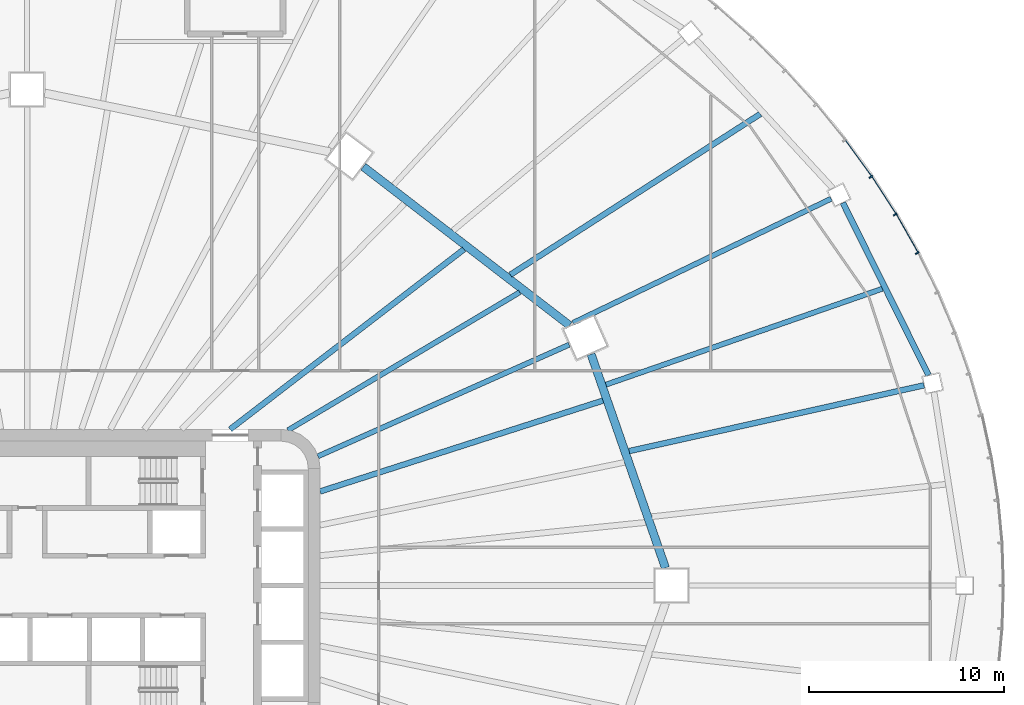
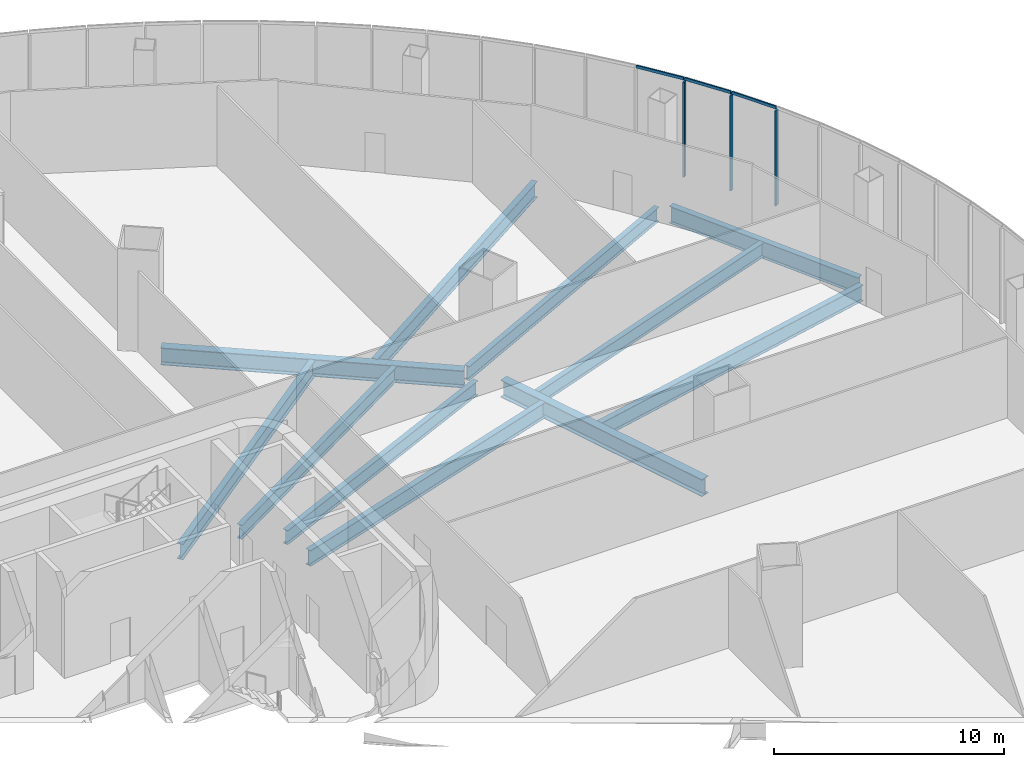
# One storey, part 11 of 42: 11 beams, 6 members, 2 elements without a shape of their own.
"""IFC4 building model written with IfcOpenShell, lengths in metres."""

import ifcopenshell
import ifcopenshell.guid

model = None  # the IFC model being written
_history = None  # IfcOwnerHistory: only IFC2X3 demands one
_inside = {}  # id of a spatial element -> (the spatial element, [elements in it])
_under = {}  # id of a project, library or spatial element -> (it, [spatial elements below it])
_declared = {}  # id of a project -> (the project, [libraries it declares])
_typed = {}  # id of a type object -> (the type object, [elements of that type])
_made_of = {}  # id of a material, layer set ... -> (it, [elements and type objects made of it])


def new_model(schema):
    """Start an empty IFC model of exactly this schema.

    Asked for "IFC4X3", IfcOpenShell would pick the latest addendum, in which some entities
    have other attributes; the version numbers below select the first issue.
    IFC2X3 requires an IfcOwnerHistory on every rooted entity: one is made here for all.
    """
    global model, _history
    if schema == "IFC4X3":
        model = ifcopenshell.file(schema_version=(4, 3, 0, 0))
    else:
        model = ifcopenshell.file(schema=schema)
    _inside.clear()
    _under.clear()
    _declared.clear()
    _typed.clear()
    _made_of.clear()
    _history = None
    if model.schema == "IFC2X3":
        org = make("IfcOrganization", Name="unknown")
        user = make(
            "IfcPersonAndOrganization",
            ThePerson=make("IfcPerson", FamilyName="unknown"),
            TheOrganization=org,
        )
        app = make(
            "IfcApplication",
            ApplicationDeveloper=org,
            Version="unknown",
            ApplicationFullName="unknown",
            ApplicationIdentifier="unknown",
        )
        _history = make(
            "IfcOwnerHistory",
            OwningUser=user,
            OwningApplication=app,
            ChangeAction="ADDED",
            CreationDate=0,
        )
    return model


def make(cls, **values):
    """One entity of the class cls with the attributes given. An attribute that is None is left unset."""
    return model.create_entity(
        cls, **{name: value for name, value in values.items() if value is not None}
    )


def rooted(cls, **values):
    """An entity with a GlobalId (a new one), such as an element, a storey or a relation."""
    return make(cls, GlobalId=ifcopenshell.guid.new(), OwnerHistory=_history, **values)


def si_unit(unit_type, name, prefix=None):
    """IfcSIUnit, for example si_unit("LENGTHUNIT", "METRE", prefix="MILLI")."""
    return make("IfcSIUnit", UnitType=unit_type, Prefix=prefix, Name=name)


def assignment(units):
    """IfcUnitAssignment: the units of a project."""
    return None if units is None else make("IfcUnitAssignment", Units=units)


def point(xyz):
    """IfcCartesianPoint."""
    return None if xyz is None else make("IfcCartesianPoint", Coordinates=xyz)


def direction(xyz):
    """IfcDirection."""
    return None if xyz is None else make("IfcDirection", DirectionRatios=xyz)


def frame(location, z_axis=None, x_axis=None):
    """IfcAxis2Placement3D, a coordinate frame: its origin and axes. An axis left out is left unset."""
    return make(
        "IfcAxis2Placement3D",
        Location=point(location),
        Axis=direction(z_axis),
        RefDirection=direction(x_axis),
    )


def frame_2d(location, x_axis=None):
    """IfcAxis2Placement2D, a coordinate frame in the plane: its origin and x axis."""
    return make(
        "IfcAxis2Placement2D", Location=point(location), RefDirection=direction(x_axis)
    )


def origin():
    """The frame at (0, 0, 0) with its axes left unset."""
    return frame((0.0, 0.0, 0.0))


def origin_2d():
    """The frame at (0, 0) in the plane with its x axis left unset."""
    return frame_2d((0.0, 0.0))


def place(relative_to, where):
    """IfcLocalPlacement: puts the frame where relative to a parent placement (None: the world)."""
    return make(
        "IfcLocalPlacement", PlacementRelTo=relative_to, RelativePlacement=where
    )


def context(
    kind, dimensions, precision=None, world=None, true_north=None, identifier=None
):
    """IfcGeometricRepresentationContext, for example the 3D "Model" context."""
    return make(
        "IfcGeometricRepresentationContext",
        ContextIdentifier=identifier,
        ContextType=kind,
        CoordinateSpaceDimension=dimensions,
        Precision=precision,
        WorldCoordinateSystem=world,
        TrueNorth=true_north,
    )


def subcontext(parent, identifier, kind, view, scale=None):
    """IfcGeometricRepresentationSubContext, for example "Body" below "Model"."""
    return make(
        "IfcGeometricRepresentationSubContext",
        ContextIdentifier=identifier,
        ContextType=kind,
        ParentContext=parent,
        TargetScale=scale,
        TargetView=view,
    )


def project(units=None, contexts=None):
    """IfcProject with its units and contexts."""
    return rooted(
        "IfcProject",
        Name="project",
        RepresentationContexts=contexts,
        UnitsInContext=assignment(units),
    )


def spatial(cls, under=None, at=None, **own):
    """A site, building, storey or space (cls), placed at a placement, below another one or the project."""
    s = rooted(cls, ObjectPlacement=at, **own)
    if under is not None:
        _under.setdefault(under.id(), (under, []))[1].append(s)
    return s


def profile(cls, at=None, kind="AREA", **sizes):
    """A parametric profile (cls). Its sizes go by their IFC names, for example OverallWidth=200.0."""
    return make(cls, ProfileType=kind, Position=at, **sizes)


def rectangle(**sizes):
    """IfcRectangleProfileDef."""
    return profile("IfcRectangleProfileDef", **sizes)


def i_section(**sizes):
    """IfcIShapeProfileDef."""
    return profile("IfcIShapeProfileDef", **sizes)


def extrude(swept, where, along, depth):
    """IfcExtrudedAreaSolid: the profile swept, set in the frame where, extruded along a direction by depth."""
    return make(
        "IfcExtrudedAreaSolid",
        SweptArea=swept,
        Position=where,
        ExtrudedDirection=direction(along),
        Depth=depth,
    )


def shape(context_of_items, identifier, shape_type, items):
    """IfcShapeRepresentation: the items that make up one representation, for example the "Body"."""
    return make(
        "IfcShapeRepresentation",
        ContextOfItems=context_of_items,
        RepresentationIdentifier=identifier,
        RepresentationType=shape_type,
        Items=items,
    )


def material(Name=None, Category=None):
    """IfcMaterial."""
    return make("IfcMaterial", Name=Name, Category=Category)


def layer(
    of_material, thickness, ventilated=None, Name=None, Category=None, Priority=None
):
    """IfcMaterialLayer: one layer of a wall or slab, of a material (None: an air gap)."""
    return make(
        "IfcMaterialLayer",
        Material=of_material,
        LayerThickness=thickness,
        IsVentilated=ventilated,
        Name=Name,
        Category=Category,
        Priority=Priority,
    )


def layer_set(layers, Name=None):
    """IfcMaterialLayerSet."""
    return make("IfcMaterialLayerSet", MaterialLayers=layers, LayerSetName=Name)


def material_profile(
    of_material, cross_section, Name=None, Category=None, Priority=None
):
    """IfcMaterialProfile: a cross section and its material."""
    return make(
        "IfcMaterialProfile",
        Name=Name,
        Material=of_material,
        Profile=cross_section,
        Priority=Priority,
        Category=Category,
    )


def profile_set(profiles, Name=None, composite=None):
    """IfcMaterialProfileSet."""
    return make(
        "IfcMaterialProfileSet",
        Name=Name,
        MaterialProfiles=profiles,
        CompositeProfile=composite,
    )


def made_of(thing, what):
    """Note that an element or type object is made of a material, layer set ...; save() writes the relation."""
    if what is not None:
        _made_of.setdefault(what.id(), (what, []))[1].append(thing)
    return thing


def type_object(cls, material=None, **own):
    """A type object (cls), such as IfcWallType, which elements share."""
    return made_of(rooted(cls, **own), material)


def element(
    cls,
    number,
    at=None,
    inside=None,
    cuts=None,
    type_object=None,
    material=None,
    context=None,
    identifier="Body",
    shape_type=None,
    held_by="IfcProductDefinitionShape",
    body=None,
    shapes=None,
    **own,
):
    """One element of the class cls, such as IfcWall. Its Tag is "e" and its number.

    at: its placement. inside: the storey or other place that contains it. cuts: it is an
    opening in that element (IfcRelVoidsElement). A single representation is given by context,
    identifier, shape_type and body (its items); several are given by shapes. held_by: the class
    of the entity that holds the representations. save() writes the other relations.
    """
    e = rooted(cls, Tag="e%d" % number, ObjectPlacement=at, **own)
    if body is not None:
        shapes = [shape(context, identifier, shape_type, body)]
    if shapes is not None:
        e.Representation = make(held_by, Representations=shapes)
    if inside is not None:
        _inside.setdefault(inside.id(), (inside, []))[1].append(e)
    if cuts is not None:
        rooted(
            "IfcRelVoidsElement", RelatingBuildingElement=cuts, RelatedOpeningElement=e
        )
    if type_object is not None:
        _typed.setdefault(type_object.id(), (type_object, []))[1].append(e)
    return made_of(e, material)


def aggregate(whole, parts):
    """IfcRelAggregates: a whole, such as a stair, and the parts it consists of."""
    return rooted("IfcRelAggregates", RelatingObject=whole, RelatedObjects=parts)


def save(model, path):
    """Write the relations noted so far, then the file.

    IfcRelAggregates (storeys below a building ...), IfcRelContainedInSpatialStructure (elements
    in a storey), IfcRelDefinesByType, IfcRelAssociatesMaterial and IfcRelDeclares: one each for
    every whole, place, type object, material and project.
    """
    for whole, parts in _under.values():
        aggregate(whole, parts)
    for where, things in _inside.values():
        rooted(
            "IfcRelContainedInSpatialStructure",
            RelatedElements=things,
            RelatingStructure=where,
        )
    for kind, things in _typed.values():
        rooted("IfcRelDefinesByType", RelatedObjects=things, RelatingType=kind)
    for what, things in _made_of.values():
        rooted("IfcRelAssociatesMaterial", RelatedObjects=things, RelatingMaterial=what)
    for by, libraries in _declared.values():
        rooted("IfcRelDeclares", RelatingContext=by, RelatedDefinitions=libraries)
    model.write(path)


model = new_model("IFC4")

# Units and contexts
model_context = context("Model", 3, precision=1e-05, world=origin(), true_north=direction((0.0, 1.0)))
body_context = subcontext(model_context, "Body", "Model", "MODEL_VIEW")
ifc_project = project(units=[si_unit("LENGTHUNIT", "METRE"), si_unit("AREAUNIT", "SQUARE_METRE"), si_unit("VOLUMEUNIT", "CUBIC_METRE"), si_unit("PLANEANGLEUNIT", "RADIAN"), si_unit("MASSUNIT", "GRAM", prefix="KILO")], contexts=[model_context])

# Site, building, storey
site_placement = place(None, origin())
site = spatial("IfcSite", under=ifc_project, at=site_placement, CompositionType="ELEMENT")
building_placement = place(site_placement, origin())
building = spatial("IfcBuilding", under=site, at=building_placement, Name="Sahrelin Media Tower", CompositionType="ELEMENT")
storey_placement = place(building_placement, frame((0.0, 0.0, 26.0)))
storey = spatial("IfcBuildingStorey", under=building, at=storey_placement, Name="L03", CompositionType="ELEMENT", Elevation=26.0)

# Curtain wall, members
ifc_material_1 = material(Name="Champagne anodised aluminium 6063-T6", Category="aluminium")
ifc_layer = layer(ifc_material_1, 0.14990234375)
ifc_layer_set = layer_set([ifc_layer], Name="Podium ribbon curtain wall")
curtain_wall_type = type_object("IfcCurtainWallType", Name="Podium ribbon curtain wall", PredefinedType="NOTDEFINED", material=ifc_layer_set)
curtain_wall_1_placement = place(storey_placement, frame((48.29638671875, 10.870361328125, 0.0), z_axis=(0.0, 0.0, 1.0), x_axis=(1.0, 0.0, 0.0)))
curtain_wall_1 = element("IfcCurtainWall", 1, at=curtain_wall_1_placement, inside=storey, type_object=curtain_wall_type, Name="L03:CW:L03-P01", PredefinedType="NOTDEFINED")
ifc_material_profile_1 = material_profile(ifc_material_1, rectangle(XDim=0.080078125, YDim=0.199951171875, at=origin_2d()), Name="Mullion 80x200")
ifc_profile_set_1 = profile_set([ifc_material_profile_1], Name="Champagne anodised aluminium 6063-T6")
member_type_1 = type_object("IfcMemberType", Name="Mullion 80x200 CW5", PredefinedType="MULLION", material=ifc_profile_set_1)
member_1_placement = place(storey_placement, frame((45.572998046875, 17.023681640625, 0.0), z_axis=(0.0, 0.0, 1.0), x_axis=(-0.493787068155, 0.869582849028, 0.0)))
member_1 = element("IfcMember", 2, at=member_1_placement, type_object=member_type_1, Name="L03:CWM4:L03-P01", PredefinedType="MULLION", context=body_context, shape_type="SweptSolid", body=[
    extrude(rectangle(XDim=0.080078125, YDim=0.199951171875, at=origin_2d()), origin(), (0.0, 0.0, 1.0), 5.050048828125),
])
member_2_placement = place(storey_placement, frame((44.449462890625, 19.00244140625, 0.0), z_axis=(0.0, 0.0, 1.0), x_axis=(-0.542830032192, 0.839842578196, 0.0)))
member_2 = element("IfcMember", 3, at=member_2_placement, type_object=member_type_1, Name="L03:CWM5:L03-P01", PredefinedType="MULLION", context=body_context, shape_type="SweptSolid", body=[
    extrude(rectangle(XDim=0.080078125, YDim=0.199951171875, at=origin_2d()), origin(), (0.0, 0.0, 1.0), 5.050048828125),
])

# Curtain wall, member
curtain_wall_2_placement = place(storey_placement, frame((43.30126953125, 21.0, 0.0), z_axis=(0.0, 0.0, 1.0), x_axis=(1.0, 0.0, 0.0)))
curtain_wall_2 = element("IfcCurtainWall", 4, at=curtain_wall_2_placement, inside=storey, type_object=curtain_wall_type, Name="L03:CW:L03-P02", PredefinedType="NOTDEFINED")
member_3_placement = place(storey_placement, frame((43.204345703125, 20.92919921875, 0.0), z_axis=(0.0, 0.0, 1.0), x_axis=(-0.589385309161, 0.807852064022, 0.0)))
member_3 = element("IfcMember", 5, at=member_3_placement, type_object=member_type_1, Name="L03:CWM1:L03-P02", PredefinedType="MULLION", context=body_context, shape_type="SweptSolid", body=[
    extrude(rectangle(XDim=0.080078125, YDim=0.199951171875, at=origin_2d()), origin(), (0.0, 0.0, 1.0), 5.050048828125),
])

# Beams
ifc_material_2 = material(Name="Steel S355", Category="steel")
ifc_material_profile_2 = material_profile(ifc_material_2, i_section(OverallWidth=0.30322265625, OverallDepth=0.903076171875, WebThickness=0.01513671875, FlangeThickness=0.020263671875, FilletRadius=0.01904296875, at=origin_2d()), Name="UB 914x305x201")
ifc_profile_set_2 = profile_set([ifc_material_profile_2], Name="Steel S355")
beam_type_1 = type_object("IfcBeamType", Name="Podium edge girder PE11", PredefinedType="BEAM", material=ifc_profile_set_2)
beam_1_placement = place(storey_placement, frame((46.158203125, 10.767822265625, -0.651611328125), z_axis=(-0.445112588569, 0.895474613541, 0.0), x_axis=(-0.895474613541, -0.445112588569, 0.0)))
element("IfcBeam", 6, at=beam_1_placement, inside=storey, type_object=beam_type_1, Name="Podium edge girder L03-02", PredefinedType="BEAM", context=body_context, shape_type="SweptSolid", body=[
    extrude(i_section(OverallWidth=0.30322265625, OverallDepth=0.903076171875, WebThickness=0.01513671875, FlangeThickness=0.020263671875, FilletRadius=0.01904296875, at=origin_2d()), origin(), (0.0, 0.0, 1.0), 9.859619140625),
])
ifc_material_profile_3 = material_profile(ifc_material_2, i_section(OverallWidth=0.41845703125, OverallDepth=0.911865234375, WebThickness=0.019287109375, FlangeThickness=0.031982421875, FilletRadius=0.024169921875, at=origin_2d()), Name="UB 914x419x343")
ifc_profile_set_3 = profile_set([ifc_material_profile_3], Name="Steel S355")
beam_type_2 = type_object("IfcBeamType", Name="Podium ring girder PG12", PredefinedType="BEAM", material=ifc_profile_set_3)
beam_2_placement = place(storey_placement, frame((32.686767578125, 0.89990234375, -0.656005859375), z_axis=(-0.328773851324, 0.944408679908, 0.0), x_axis=(-0.944408679908, -0.328773851324, 0.0)))
element("IfcBeam", 7, at=beam_2_placement, inside=storey, type_object=beam_type_2, Name="Podium girder L03-01", PredefinedType="BEAM", context=body_context, shape_type="SweptSolid", body=[
    extrude(i_section(OverallWidth=0.41845703125, OverallDepth=0.911865234375, WebThickness=0.019287109375, FlangeThickness=0.031982421875, FilletRadius=0.024169921875, at=origin_2d()), origin(), (0.0, 0.0, 1.0), 11.591552734375),
])
beam_3_placement = place(storey_placement, frame((27.767578125, 13.324462890625, -0.656005859375), z_axis=(-0.792445416108, 0.609942835428, 0.0), x_axis=(-0.609942835428, -0.792445416108, 0.0)))
element("IfcBeam", 8, at=beam_3_placement, inside=storey, type_object=beam_type_2, Name="Podium girder L03-02", PredefinedType="BEAM", context=body_context, shape_type="SweptSolid", body=[
    extrude(i_section(OverallWidth=0.41845703125, OverallDepth=0.911865234375, WebThickness=0.019287109375, FlangeThickness=0.031982421875, FilletRadius=0.024169921875, at=origin_2d()), origin(), (0.0, 0.0, 1.0), 13.318603515625),
])
ifc_material_profile_4 = material_profile(ifc_material_2, i_section(OverallWidth=0.291748046875, OverallDepth=0.8349609375, WebThickness=0.013916015625, FlangeThickness=0.018798828125, FilletRadius=0.017822265625, at=origin_2d()), Name="UB 838x292x176")
ifc_profile_set_4 = profile_set([ifc_material_profile_4], Name="Steel S355")
beam_type_3 = type_object("IfcBeamType", Name="Radial primary beam PB10", PredefinedType="BEAM", material=ifc_profile_set_4)
beam_4_placement = place(storey_placement, frame((10.393798828125, 8.0, -0.617431640625), z_axis=(0.79244196099, 0.609947324335, 0.0), x_axis=(-0.609947324335, 0.79244196099, 0.0)))
element("IfcBeam", 9, at=beam_4_placement, inside=storey, type_object=beam_type_3, Name="Radial beam L03-04", PredefinedType="BEAM", context=body_context, shape_type="SweptSolid", body=[
    extrude(i_section(OverallWidth=0.291748046875, OverallDepth=0.8349609375, WebThickness=0.013916015625, FlangeThickness=0.018798828125, FilletRadius=0.017822265625, at=origin_2d()), origin(), (0.0, 0.0, 1.0), 15.1103515625),
])
beam_5_placement = place(storey_placement, frame((30.825439453125, 6.883056640625, -0.617431640625), z_axis=(0.975966755314, 0.217919463385, 0.0), x_axis=(-0.217919463385, 0.975966755314, 0.0)))
element("IfcBeam", 10, at=beam_5_placement, inside=storey, type_object=beam_type_3, Name="Radial beam L03-02", PredefinedType="BEAM", context=body_context, shape_type="SweptSolid", body=[
    extrude(i_section(OverallWidth=0.291748046875, OverallDepth=0.8349609375, WebThickness=0.013916015625, FlangeThickness=0.018798828125, FilletRadius=0.017822265625, at=origin_2d()), origin(), (0.0, 0.0, 1.0), 15.4716796875),
])
ifc_material_profile_5 = material_profile(ifc_material_2, i_section(OverallWidth=0.26513671875, OverallDepth=0.75390625, WebThickness=0.0126953125, FlangeThickness=0.017578125, FilletRadius=0.0166015625, at=origin_2d()), Name="UB 762x267x147")
ifc_profile_set_5 = profile_set([ifc_material_profile_5], Name="Steel S355")
beam_type_4 = type_object("IfcBeamType", Name="Radial primary beam PB9", PredefinedType="BEAM", material=ifc_profile_set_5)
beam_6_placement = place(storey_placement, frame((14.890625, 6.6171875, -0.576904296875), z_axis=(0.913833000058, 0.406090196883, 0.0), x_axis=(-0.406090196883, 0.913833000058, 0.0)))
element("IfcBeam", 11, at=beam_6_placement, inside=storey, type_object=beam_type_4, Name="Radial beam L03-03", PredefinedType="BEAM", context=body_context, shape_type="SweptSolid", body=[
    extrude(i_section(OverallWidth=0.26513671875, OverallDepth=0.75390625, WebThickness=0.0126953125, FlangeThickness=0.017578125, FilletRadius=0.0166015625, at=origin_2d()), origin(), (0.0, 0.0, 1.0), 14.078857421875),
])
beam_7_placement = place(storey_placement, frame((27.950439453125, 13.44775390625, -0.576904296875), z_axis=(0.901130102072, 0.433548773657, 0.0), x_axis=(-0.433548773657, 0.901130102072, 0.0)))
element("IfcBeam", 12, at=beam_7_placement, inside=storey, type_object=beam_type_4, Name="Radial beam L03-03", PredefinedType="BEAM", context=body_context, shape_type="SweptSolid", body=[
    extrude(i_section(OverallWidth=0.26513671875, OverallDepth=0.75390625, WebThickness=0.0126953125, FlangeThickness=0.017578125, FilletRadius=0.0166015625, at=origin_2d()), origin(), (0.0, 0.0, 1.0), 14.6630859375),
])
ifc_material_profile_6 = material_profile(ifc_material_2, i_section(OverallWidth=0.291748046875, OverallDepth=0.8349609375, WebThickness=0.013916015625, FlangeThickness=0.018798828125, FilletRadius=0.017822265625, at=origin_2d()), Name="UB 838x292x176")
ifc_profile_set_6 = profile_set([ifc_material_profile_6], Name="Steel S355")
beam_type_5 = type_object("IfcBeamType", Name="Radial secondary beam SB10", PredefinedType="BEAM", material=ifc_profile_set_6)
beam_8_placement = place(storey_placement, frame((15.0, 4.81787109375, -0.617431640625), z_axis=(0.952096340592, 0.305798231244, 0.0), x_axis=(-0.305798231244, 0.952096340592, 0.0)))
element("IfcBeam", 13, at=beam_8_placement, inside=storey, type_object=beam_type_5, Name="Secondary beam L03-02", PredefinedType="BEAM", context=body_context, shape_type="SweptSolid", body=[
    extrude(i_section(OverallWidth=0.291748046875, OverallDepth=0.8349609375, WebThickness=0.013916015625, FlangeThickness=0.018798828125, FilletRadius=0.017822265625, at=origin_2d()), origin(), (0.0, 0.0, 1.0), 15.210693359375),
])
beam_9_placement = place(storey_placement, frame((24.744140625, 15.91552734375, -0.617431640625), z_axis=(0.84104292767, 0.540968385228, 0.0), x_axis=(-0.540968385228, 0.84104292767, 0.0)))
element("IfcBeam", 14, at=beam_9_placement, inside=storey, type_object=beam_type_5, Name="Secondary beam L03-03", PredefinedType="BEAM", context=body_context, shape_type="SweptSolid", body=[
    extrude(i_section(OverallWidth=0.291748046875, OverallDepth=0.8349609375, WebThickness=0.013916015625, FlangeThickness=0.018798828125, FilletRadius=0.017822265625, at=origin_2d()), origin(), (0.0, 0.0, 1.0), 15.218505859375),
])
ifc_material_profile_7 = material_profile(ifc_material_2, i_section(OverallWidth=0.26513671875, OverallDepth=0.75390625, WebThickness=0.0126953125, FlangeThickness=0.017578125, FilletRadius=0.0166015625, at=origin_2d()), Name="UB 762x267x147")
ifc_profile_set_7 = profile_set([ifc_material_profile_7], Name="Steel S355")
beam_type_6 = type_object("IfcBeamType", Name="Radial secondary beam SB9", PredefinedType="BEAM", material=ifc_profile_set_7)
beam_10_placement = place(storey_placement, frame((13.356201171875, 7.953125, -0.576904296875), z_axis=(0.859199265621, 0.511641106594, 0.0), x_axis=(-0.511641106594, 0.859199265621, 0.0)))
element("IfcBeam", 15, at=beam_10_placement, inside=storey, type_object=beam_type_6, Name="Secondary beam L03-03", PredefinedType="BEAM", context=body_context, shape_type="SweptSolid", body=[
    extrude(i_section(OverallWidth=0.26513671875, OverallDepth=0.75390625, WebThickness=0.0126953125, FlangeThickness=0.017578125, FilletRadius=0.0166015625, at=origin_2d()), origin(), (0.0, 0.0, 1.0), 13.810791015625),
])
beam_11_placement = place(storey_placement, frame((29.640380859375, 10.287109375, -0.576904296875), z_axis=(0.944713020182, 0.32789832189, 0.0), x_axis=(-0.32789832189, 0.944713020182, 0.0)))
element("IfcBeam", 16, at=beam_11_placement, inside=storey, type_object=beam_type_6, Name="Secondary beam L03-02", PredefinedType="BEAM", context=body_context, shape_type="SweptSolid", body=[
    extrude(i_section(OverallWidth=0.26513671875, OverallDepth=0.75390625, WebThickness=0.0126953125, FlangeThickness=0.017578125, FilletRadius=0.0166015625, at=origin_2d()), origin(), (0.0, 0.0, 1.0), 14.974609375),
])

# Member
ifc_material_profile_8 = material_profile(ifc_material_1, rectangle(XDim=0.06005859375, YDim=0.14990234375, at=origin_2d()), Name="Transom 60x150")
ifc_profile_set_8 = profile_set([ifc_material_profile_8], Name="Champagne anodised aluminium 6063-T6")
member_type_2 = type_object("IfcMemberType", Name="Transom 60x150 CW5", PredefinedType="USERDEFINED", material=ifc_profile_set_8)
member_4_placement = place(storey_placement, frame((45.609130859375, 17.101806640625, 5.125), z_axis=(-0.493793305481, 0.869579307172, 0.0), x_axis=(-0.869579307172, -0.493793305481, 0.0)))
member_4 = element("IfcMember", 17, at=member_4_placement, type_object=member_type_2, Name="L03:CWT4a:L03-P01", ObjectType="TRANSOM", PredefinedType="USERDEFINED", context=body_context, shape_type="SweptSolid", body=[
    extrude(rectangle(XDim=0.06005859375, YDim=0.14990234375, at=origin_2d()), origin(), (0.0, 0.0, 1.0), 2.232421875),
])

member_5_placement = place(storey_placement, frame((44.481201171875, 19.08251953125, 5.125), z_axis=(-0.542855461476, 0.8398261415, 0.0), x_axis=(-0.8398261415, -0.542855461476, 0.0)))
member_5 = element("IfcMember", 18, at=member_5_placement, type_object=member_type_2, Name="L03:CWT5a:L03-P01", ObjectType="TRANSOM", PredefinedType="USERDEFINED", context=body_context, shape_type="SweptSolid", body=[
    extrude(rectangle(XDim=0.06005859375, YDim=0.14990234375, at=origin_2d()), origin(), (0.0, 0.0, 1.0), 2.2509765625),
])

aggregate(curtain_wall_1, [member_1, member_4, member_2, member_5])

member_6_placement = place(storey_placement, frame((43.2314453125, 21.010986328125, 5.125), z_axis=(-0.589436833423, 0.807814470906, 0.0), x_axis=(-0.807814470906, -0.589436833423, 0.0)))
member_6 = element("IfcMember", 19, at=member_6_placement, type_object=member_type_2, Name="L03:CWT1a:L03-P02", ObjectType="TRANSOM", PredefinedType="USERDEFINED", context=body_context, shape_type="SweptSolid", body=[
    extrude(rectangle(XDim=0.06005859375, YDim=0.14990234375, at=origin_2d()), origin(), (0.0, 0.0, 1.0), 2.2705078125),
])

aggregate(curtain_wall_2, [member_3, member_6])

save(model, "model.ifc")
